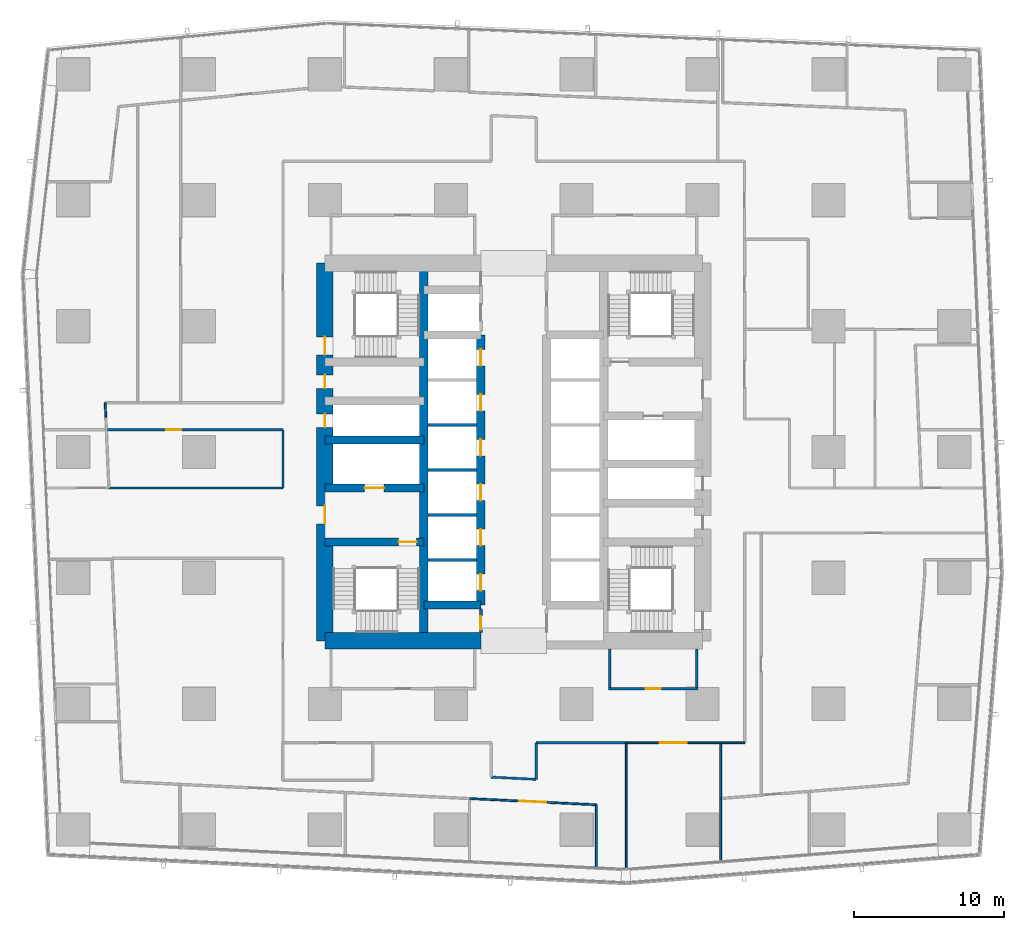
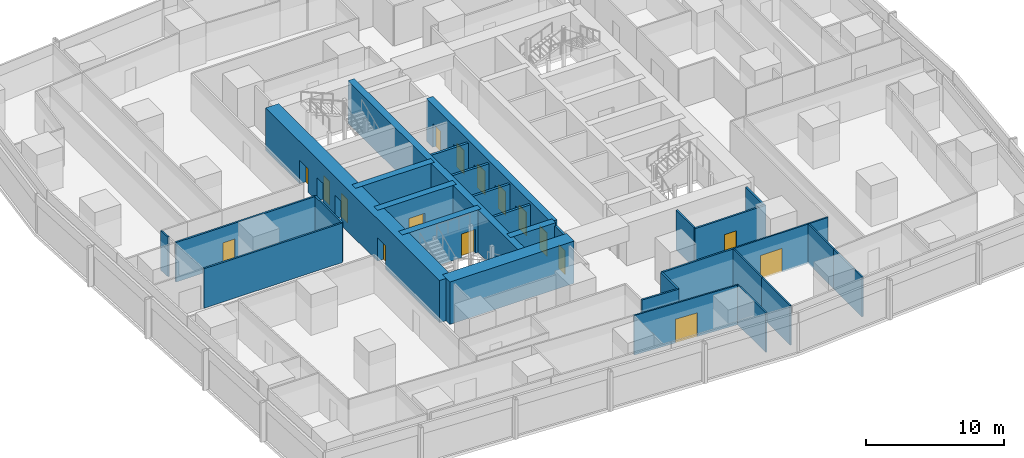
# One storey, part 32 of 45: 31 walls, 17 doors, 17 openings.
"""IFC4 building model written with IfcOpenShell, lengths in metres."""

from ifc_helpers import new_model, si_unit, direction, frame, frame_2d, origin, place, context, subcontext, project, spatial, rectangle, extrude, material, layer, layer_set, type_object, element, fill, save


model = new_model("IFC4")

# Units and contexts
model_context = context("Model", 3, precision=1e-05, world=origin(), true_north=direction((0.0, 1.0)))
body_context = subcontext(model_context, "Body", "Model", "MODEL_VIEW")
ifc_project = project(units=[si_unit("LENGTHUNIT", "METRE"), si_unit("AREAUNIT", "SQUARE_METRE"), si_unit("VOLUMEUNIT", "CUBIC_METRE"), si_unit("PLANEANGLEUNIT", "RADIAN"), si_unit("MASSUNIT", "GRAM", prefix="KILO")], contexts=[model_context])

# Site, building, storey
site_placement = place(None, origin())
site = spatial("IfcSite", under=ifc_project, at=site_placement, CompositionType="ELEMENT")
building_placement = place(site_placement, origin())
building = spatial("IfcBuilding", under=site, at=building_placement, Name="Rekha Terrace Tower", CompositionType="ELEMENT")
storey_placement = place(building_placement, frame((0.0, 0.0, 44.14990234375)))
storey = spatial("IfcBuildingStorey", under=building, at=storey_placement, Name="L10", CompositionType="ELEMENT", Elevation=44.14990234375)

# Wall
ifc_material_1 = material(Name="Concrete M70", Category="concrete")
ifc_layer_1 = layer(ifc_material_1, 0.550048828125)
ifc_layer_set_1 = layer_set([ifc_layer_1], Name="Concrete M70")
wall_type_1 = type_object("IfcWallType", Name="CI1 550 core internal shear wall", PredefinedType="SHEAR", material=ifc_layer_set_1)
wall_1_placement = place(storey_placement, frame((31.800048828125, 21.0, 0.0), z_axis=(0.0, 0.0, 1.0), x_axis=(0.0, 1.0, 0.0)))
element("IfcWall", 1, at=wall_1_placement, inside=storey, type_object=wall_type_1, Name="Core wall X318 L10", PredefinedType="SHEAR", context=body_context, shape_type="SweptSolid", body=[
    extrude(rectangle(XDim=25.199951171875, YDim=0.550048828125, at=frame_2d((12.60009765625, 0.0))), origin(), (0.0, 0.0, 1.0), 3.75),
])

# Wall, openings, doors
wall_2_placement = place(storey_placement, frame((35.60009765625, 23.39990234375, 0.0), z_axis=(0.0, 0.0, 1.0), x_axis=(0.0, 1.0, 0.0)))
wall_2 = element("IfcWall", 2, at=wall_2_placement, inside=storey, type_object=wall_type_1, Name="Core wall X356 L10", PredefinedType="SHEAR", context=body_context, shape_type="SweptSolid", body=[
    extrude(rectangle(XDim=18.0, YDim=0.550048828125, at=frame_2d((9.0, 0.0))), origin(), (0.0, 0.0, 1.0), 3.75),
])
opening_1_placement = place(wall_2_placement, frame((0.949951171875, 0.0, 0.0)))
opening_1 = element("IfcOpeningElement", 3, at=opening_1_placement, cuts=wall_2, Name="Opening LD1", PredefinedType="OPENING", context=body_context, shape_type="SweptSolid", body=[
    extrude(rectangle(XDim=1.10009765625, YDim=2.10009765625, at=frame_2d((0.550048828125, 1.050048828125))), frame((0.0, 0.284912109375, 0.0), z_axis=(0.0, -1.0, 0.0), x_axis=(1.0, 0.0, 0.0)), (0.0, 0.0, 1.0), 0.570068359375),
])
opening_2_placement = place(wall_2_placement, frame((3.949951171875, 0.0, 0.0)))
opening_2 = element("IfcOpeningElement", 4, at=opening_2_placement, cuts=wall_2, Name="Opening LD1", PredefinedType="OPENING", context=body_context, shape_type="SweptSolid", body=[
    extrude(rectangle(XDim=1.10009765625, YDim=2.10009765625, at=frame_2d((0.550048828125, 1.050048828125))), frame((0.0, 0.284912109375, 0.0), z_axis=(0.0, -1.0, 0.0), x_axis=(1.0, 0.0, 0.0)), (0.0, 0.0, 1.0), 0.570068359375),
])
opening_3_placement = place(wall_2_placement, frame((6.949951171875, 0.0, 0.0)))
opening_3 = element("IfcOpeningElement", 5, at=opening_3_placement, cuts=wall_2, Name="Opening LD1", PredefinedType="OPENING", context=body_context, shape_type="SweptSolid", body=[
    extrude(rectangle(XDim=1.10009765625, YDim=2.10009765625, at=frame_2d((0.550048828125, 1.050048828125))), frame((0.0, 0.284912109375, 0.0), z_axis=(0.0, -1.0, 0.0), x_axis=(1.0, 0.0, 0.0)), (0.0, 0.0, 1.0), 0.570068359375),
])
opening_4_placement = place(wall_2_placement, frame((9.949951171875, 0.0, 0.0)))
opening_4 = element("IfcOpeningElement", 6, at=opening_4_placement, cuts=wall_2, Name="Opening LD1", PredefinedType="OPENING", context=body_context, shape_type="SweptSolid", body=[
    extrude(rectangle(XDim=1.10009765625, YDim=2.10009765625, at=frame_2d((0.550048828125, 1.050048828125))), frame((0.0, 0.284912109375, 0.0), z_axis=(0.0, -1.0, 0.0), x_axis=(1.0, 0.0, 0.0)), (0.0, 0.0, 1.0), 0.570068359375),
])
opening_5_placement = place(wall_2_placement, frame((12.949951171875, 0.0, 0.0)))
opening_5 = element("IfcOpeningElement", 7, at=opening_5_placement, cuts=wall_2, Name="Opening LD1", PredefinedType="OPENING", context=body_context, shape_type="SweptSolid", body=[
    extrude(rectangle(XDim=1.10009765625, YDim=2.10009765625, at=frame_2d((0.550048828125, 1.050048828125))), frame((0.0, 0.284912109375, 0.0), z_axis=(0.0, -1.0, 0.0), x_axis=(1.0, 0.0, 0.0)), (0.0, 0.0, 1.0), 0.570068359375),
])
opening_6_placement = place(wall_2_placement, frame((15.949951171875, 0.0, 0.0)))
opening_6 = element("IfcOpeningElement", 8, at=opening_6_placement, cuts=wall_2, Name="Opening LD1", PredefinedType="OPENING", context=body_context, shape_type="SweptSolid", body=[
    extrude(rectangle(XDim=1.10009765625, YDim=2.10009765625, at=frame_2d((0.550048828125, 1.050048828125))), frame((0.0, 0.284912109375, 0.0), z_axis=(0.0, -1.0, 0.0), x_axis=(1.0, 0.0, 0.0)), (0.0, 0.0, 1.0), 0.570068359375),
])
ifc_material_2 = material(Name="Stainless steel sliding landing door", Category="steel")
door_type_1 = type_object("IfcDoorType", Name="LD1 1100x2100 lift landing door", OperationType="SLIDING_TO_LEFT", PredefinedType="USERDEFINED", material=ifc_material_2)
door_1_placement = place(opening_1_placement, origin())
door_1 = element("IfcDoor", 9, at=door_1_placement, inside=storey, type_object=door_type_1, Name="Lift A1 landing door L10", ObjectType="LIFT LANDING DOOR", OperationType="SLIDING_TO_LEFT", OverallHeight=2.10009765625, OverallWidth=1.10009765625, PredefinedType="USERDEFINED", context=body_context, shape_type="SweptSolid", body=[
    extrude(rectangle(XDim=1.10009765625, YDim=2.10009765625, at=frame_2d((0.550048828125, 1.050048828125))), frame((0.0, 0.02490234375, 0.0), z_axis=(0.0, -1.0, 0.0), x_axis=(1.0, 0.0, 0.0)), (0.0, 0.0, 1.0), 0.050048828125),
])
fill(opening_1, door_1)
door_2_placement = place(opening_2_placement, origin())
door_2 = element("IfcDoor", 10, at=door_2_placement, inside=storey, type_object=door_type_1, Name="Lift A2 landing door L10", ObjectType="LIFT LANDING DOOR", OperationType="SLIDING_TO_LEFT", OverallHeight=2.10009765625, OverallWidth=1.10009765625, PredefinedType="USERDEFINED", context=body_context, shape_type="SweptSolid", body=[
    extrude(rectangle(XDim=1.10009765625, YDim=2.10009765625, at=frame_2d((0.550048828125, 1.050048828125))), frame((0.0, 0.02490234375, 0.0), z_axis=(0.0, -1.0, 0.0), x_axis=(1.0, 0.0, 0.0)), (0.0, 0.0, 1.0), 0.050048828125),
])
fill(opening_2, door_2)
door_3_placement = place(opening_3_placement, origin())
door_3 = element("IfcDoor", 11, at=door_3_placement, inside=storey, type_object=door_type_1, Name="Lift A3 landing door L10", ObjectType="LIFT LANDING DOOR", OperationType="SLIDING_TO_LEFT", OverallHeight=2.10009765625, OverallWidth=1.10009765625, PredefinedType="USERDEFINED", context=body_context, shape_type="SweptSolid", body=[
    extrude(rectangle(XDim=1.10009765625, YDim=2.10009765625, at=frame_2d((0.550048828125, 1.050048828125))), frame((0.0, 0.02490234375, 0.0), z_axis=(0.0, -1.0, 0.0), x_axis=(1.0, 0.0, 0.0)), (0.0, 0.0, 1.0), 0.050048828125),
])
fill(opening_3, door_3)
door_4_placement = place(opening_4_placement, origin())
door_4 = element("IfcDoor", 12, at=door_4_placement, inside=storey, type_object=door_type_1, Name="Lift A4 landing door L10", ObjectType="LIFT LANDING DOOR", OperationType="SLIDING_TO_LEFT", OverallHeight=2.10009765625, OverallWidth=1.10009765625, PredefinedType="USERDEFINED", context=body_context, shape_type="SweptSolid", body=[
    extrude(rectangle(XDim=1.10009765625, YDim=2.10009765625, at=frame_2d((0.550048828125, 1.050048828125))), frame((0.0, 0.02490234375, 0.0), z_axis=(0.0, -1.0, 0.0), x_axis=(1.0, 0.0, 0.0)), (0.0, 0.0, 1.0), 0.050048828125),
])
fill(opening_4, door_4)
door_5_placement = place(opening_5_placement, origin())
door_5 = element("IfcDoor", 13, at=door_5_placement, inside=storey, type_object=door_type_1, Name="Lift A5 landing door L10", ObjectType="LIFT LANDING DOOR", OperationType="SLIDING_TO_LEFT", OverallHeight=2.10009765625, OverallWidth=1.10009765625, PredefinedType="USERDEFINED", context=body_context, shape_type="SweptSolid", body=[
    extrude(rectangle(XDim=1.10009765625, YDim=2.10009765625, at=frame_2d((0.550048828125, 1.050048828125))), frame((0.0, 0.02490234375, 0.0), z_axis=(0.0, -1.0, 0.0), x_axis=(1.0, 0.0, 0.0)), (0.0, 0.0, 1.0), 0.050048828125),
])
fill(opening_5, door_5)
door_6_placement = place(opening_6_placement, origin())
door_6 = element("IfcDoor", 14, at=door_6_placement, inside=storey, type_object=door_type_1, Name="Lift A6 landing door L10", ObjectType="LIFT LANDING DOOR", OperationType="SLIDING_TO_LEFT", OverallHeight=2.10009765625, OverallWidth=1.10009765625, PredefinedType="USERDEFINED", context=body_context, shape_type="SweptSolid", body=[
    extrude(rectangle(XDim=1.10009765625, YDim=2.10009765625, at=frame_2d((0.550048828125, 1.050048828125))), frame((0.0, 0.02490234375, 0.0), z_axis=(0.0, -1.0, 0.0), x_axis=(1.0, 0.0, 0.0)), (0.0, 0.0, 1.0), 0.050048828125),
])
fill(opening_6, door_6)

# Wall
wall_3_placement = place(storey_placement, frame((31.800048828125, 23.39990234375, 0.0), z_axis=(0.0, 0.0, 1.0), x_axis=(1.0, 0.0, 0.0)))
element("IfcWall", 15, at=wall_3_placement, inside=storey, type_object=wall_type_1, Name="Core wall Y234W L10", PredefinedType="SHEAR", context=body_context, shape_type="SweptSolid", body=[
    extrude(rectangle(XDim=3.800048828125, YDim=0.550048828125, at=frame_2d((1.89990234375, 0.0))), origin(), (0.0, 0.0, 1.0), 3.75),
])

# Wall, opening, door
wall_4_placement = place(storey_placement, frame((25.199951171875, 27.60009765625, 0.0), z_axis=(0.0, 0.0, 1.0), x_axis=(1.0, 0.0, 0.0)))
wall_4 = element("IfcWall", 16, at=wall_4_placement, inside=storey, type_object=wall_type_1, Name="Core wall Y276W L10", PredefinedType="SHEAR", context=body_context, shape_type="SweptSolid", body=[
    extrude(rectangle(XDim=6.60009765625, YDim=0.550048828125, at=frame_2d((3.300048828125, 0.0))), origin(), (0.0, 0.0, 1.0), 3.75),
])
opening_7_placement = place(wall_4_placement, frame((4.925048828125, 0.0, 0.0)))
opening_7 = element("IfcOpeningElement", 17, at=opening_7_placement, cuts=wall_4, Name="Opening D1", PredefinedType="OPENING", context=body_context, shape_type="SweptSolid", body=[
    extrude(rectangle(XDim=1.199951171875, YDim=2.10009765625, at=frame_2d((0.60009765625, 1.050048828125))), frame((0.0, 0.284912109375, 0.0), z_axis=(0.0, -1.0, 0.0), x_axis=(1.0, 0.0, 0.0)), (0.0, 0.0, 1.0), 0.570068359375),
])
ifc_material_3 = material(Name="Steel fire door", Category="steel")
door_type_2 = type_object("IfcDoorType", Name="D1 1200x2100 stair fire door", OperationType="SINGLE_SWING_RIGHT", PredefinedType="DOOR", material=ifc_material_3)
door_7_placement = place(opening_7_placement, origin())
door_7 = element("IfcDoor", 18, at=door_7_placement, inside=storey, type_object=door_type_2, Name="Stair ST1 door L10", OperationType="SINGLE_SWING_RIGHT", OverallHeight=2.10009765625, OverallWidth=1.199951171875, PredefinedType="DOOR", context=body_context, shape_type="SweptSolid", body=[
    extrude(rectangle(XDim=1.199951171875, YDim=2.10009765625, at=frame_2d((0.60009765625, 1.050048828125))), frame((0.0, 0.02490234375, 0.0), z_axis=(0.0, -1.0, 0.0), x_axis=(1.0, 0.0, 0.0)), (0.0, 0.0, 1.0), 0.050048828125),
])
fill(opening_7, door_7)

wall_5_placement = place(storey_placement, frame((25.199951171875, 31.199951171875, 0.0), z_axis=(0.0, 0.0, 1.0), x_axis=(1.0, 0.0, 0.0)))
wall_5 = element("IfcWall", 19, at=wall_5_placement, inside=storey, type_object=wall_type_1, Name="Core wall Y312W L10", PredefinedType="SHEAR", context=body_context, shape_type="SweptSolid", body=[
    extrude(rectangle(XDim=6.60009765625, YDim=0.550048828125, at=frame_2d((3.300048828125, 0.0))), origin(), (0.0, 0.0, 1.0), 3.75),
])
opening_8_placement = place(wall_5_placement, frame((2.64990234375, 0.0, 0.0)))
opening_8 = element("IfcOpeningElement", 20, at=opening_8_placement, cuts=wall_5, Name="Opening LD2", PredefinedType="OPENING", context=body_context, shape_type="SweptSolid", body=[
    extrude(rectangle(XDim=1.300048828125, YDim=2.10009765625, at=frame_2d((0.64990234375, 1.050048828125))), frame((0.0, 0.284912109375, 0.0), z_axis=(0.0, -1.0, 0.0), x_axis=(1.0, 0.0, 0.0)), (0.0, 0.0, 1.0), 0.570068359375),
])
door_type_3 = type_object("IfcDoorType", Name="LD2 1300x2100 fire lift landing door", OperationType="SLIDING_TO_LEFT", PredefinedType="USERDEFINED", material=ifc_material_2)
door_8_placement = place(opening_8_placement, origin())
door_8 = element("IfcDoor", 21, at=door_8_placement, inside=storey, type_object=door_type_3, Name="Lift FL1 landing door L10", ObjectType="LIFT LANDING DOOR", OperationType="SLIDING_TO_LEFT", OverallHeight=2.10009765625, OverallWidth=1.300048828125, PredefinedType="USERDEFINED", context=body_context, shape_type="SweptSolid", body=[
    extrude(rectangle(XDim=1.300048828125, YDim=2.10009765625, at=frame_2d((0.64990234375, 1.050048828125))), frame((0.0, 0.02490234375, 0.0), z_axis=(0.0, -1.0, 0.0), x_axis=(1.0, 0.0, 0.0)), (0.0, 0.0, 1.0), 0.050048828125),
])
fill(opening_8, door_8)

# Walls
wall_6_placement = place(storey_placement, frame((25.199951171875, 34.39990234375, 0.0), z_axis=(0.0, 0.0, 1.0), x_axis=(1.0, 0.0, 0.0)))
element("IfcWall", 22, at=wall_6_placement, inside=storey, type_object=wall_type_1, Name="Core wall Y344W L10", PredefinedType="SHEAR", context=body_context, shape_type="SweptSolid", body=[
    extrude(rectangle(XDim=6.60009765625, YDim=0.550048828125, at=frame_2d((3.300048828125, 0.0))), origin(), (0.0, 0.0, 1.0), 3.75),
])
ifc_layer_2 = layer(ifc_material_1, 1.10009765625)
ifc_layer_set_2 = layer_set([ifc_layer_2], Name="Concrete M70")
wall_type_2 = type_object("IfcWallType", Name="SW1 1100 core outer shear wall", PredefinedType="SHEAR", material=ifc_layer_set_2)
wall_7_placement = place(storey_placement, frame((25.199951171875, 21.0, 0.0), z_axis=(0.0, 0.0, 1.0), x_axis=(1.0, 0.0, 0.0)))
element("IfcWall", 23, at=wall_7_placement, inside=storey, type_object=wall_type_2, Name="Core wall S1 L10", PredefinedType="SHEAR", context=body_context, shape_type="SweptSolid", body=[
    extrude(rectangle(XDim=10.400146484375, YDim=1.10009765625, at=frame_2d((5.2001953125, 0.0))), origin(), (0.0, 0.0, 1.0), 3.75),
])

# Wall, openings, doors
wall_8_placement = place(storey_placement, frame((25.199951171875, 21.0, 0.0), z_axis=(0.0, 0.0, 1.0), x_axis=(0.0, 1.0, 0.0)))
wall_8 = element("IfcWall", 24, at=wall_8_placement, inside=storey, type_object=wall_type_2, Name="Core wall W L10", PredefinedType="SHEAR", context=body_context, shape_type="SweptSolid", body=[
    extrude(rectangle(XDim=25.199951171875, YDim=1.10009765625, at=frame_2d((12.60009765625, 0.0))), origin(), (0.0, 0.0, 1.0), 3.75),
])
opening_9_placement = place(wall_8_placement, frame((7.800048828125, 0.0, 0.0)))
opening_9 = element("IfcOpeningElement", 25, at=opening_9_placement, cuts=wall_8, Name="Opening D2", PredefinedType="OPENING", context=body_context, shape_type="SweptSolid", body=[
    extrude(rectangle(XDim=1.199951171875, YDim=2.10009765625, at=frame_2d((0.60009765625, 1.050048828125))), frame((0.0, 0.56005859375, 0.0), z_axis=(0.0, -1.0, 0.0), x_axis=(1.0, 0.0, 0.0)), (0.0, 0.0, 1.0), 1.1201171875),
])
opening_10_placement = place(wall_8_placement, frame((14.25, 0.0, 0.0)))
opening_10 = element("IfcOpeningElement", 26, at=opening_10_placement, cuts=wall_8, Name="Opening D5", PredefinedType="OPENING", context=body_context, shape_type="SweptSolid", body=[
    extrude(rectangle(XDim=0.89990234375, YDim=2.10009765625, at=frame_2d((0.449951171875, 1.050048828125))), frame((0.0, 0.56005859375, 0.0), z_axis=(0.0, -1.0, 0.0), x_axis=(1.0, 0.0, 0.0)), (0.0, 0.0, 1.0), 1.1201171875),
])
opening_11_placement = place(wall_8_placement, frame((16.85009765625, 0.0, 0.0)))
opening_11 = element("IfcOpeningElement", 27, at=opening_11_placement, cuts=wall_8, Name="Opening D5", PredefinedType="OPENING", context=body_context, shape_type="SweptSolid", body=[
    extrude(rectangle(XDim=0.89990234375, YDim=2.10009765625, at=frame_2d((0.449951171875, 1.050048828125))), frame((0.0, 0.56005859375, 0.0), z_axis=(0.0, -1.0, 0.0), x_axis=(1.0, 0.0, 0.0)), (0.0, 0.0, 1.0), 1.1201171875),
])
opening_12_placement = place(wall_8_placement, frame((19.074951171875, 0.0, 0.0)))
opening_12 = element("IfcOpeningElement", 28, at=opening_12_placement, cuts=wall_8, Name="Opening D1", PredefinedType="OPENING", context=body_context, shape_type="SweptSolid", body=[
    extrude(rectangle(XDim=1.199951171875, YDim=2.10009765625, at=frame_2d((0.60009765625, 1.050048828125))), frame((0.0, 0.56005859375, 0.0), z_axis=(0.0, -1.0, 0.0), x_axis=(1.0, 0.0, 0.0)), (0.0, 0.0, 1.0), 1.1201171875),
])
door_9_placement = place(opening_12_placement, origin())
door_9 = element("IfcDoor", 29, at=door_9_placement, inside=storey, type_object=door_type_2, Name="Stair ST4 door L10", OperationType="SINGLE_SWING_RIGHT", OverallHeight=2.10009765625, OverallWidth=1.199951171875, PredefinedType="DOOR", context=body_context, shape_type="SweptSolid", body=[
    extrude(rectangle(XDim=1.199951171875, YDim=2.10009765625, at=frame_2d((0.60009765625, 1.050048828125))), frame((0.0, 0.02490234375, 0.0), z_axis=(0.0, -1.0, 0.0), x_axis=(1.0, 0.0, 0.0)), (0.0, 0.0, 1.0), 0.050048828125),
])
fill(opening_12, door_9)
door_type_4 = type_object("IfcDoorType", Name="D2 1200x2100 firefighting lobby door", OperationType="SINGLE_SWING_LEFT", PredefinedType="DOOR", material=ifc_material_3)
door_10_placement = place(opening_9_placement, origin())
door_10 = element("IfcDoor", 30, at=door_10_placement, inside=storey, type_object=door_type_4, Name="Door flb1 L10", OperationType="SINGLE_SWING_LEFT", OverallHeight=2.10009765625, OverallWidth=1.199951171875, PredefinedType="DOOR", context=body_context, shape_type="SweptSolid", body=[
    extrude(rectangle(XDim=1.199951171875, YDim=2.10009765625, at=frame_2d((0.60009765625, 1.050048828125))), frame((0.0, 0.02490234375, 0.0), z_axis=(0.0, -1.0, 0.0), x_axis=(1.0, 0.0, 0.0)), (0.0, 0.0, 1.0), 0.050048828125),
])
fill(opening_9, door_10)
door_type_5 = type_object("IfcDoorType", Name="D5 900x2100 riser access door", OperationType="SINGLE_SWING_LEFT", PredefinedType="DOOR", material=ifc_material_3)
door_11_placement = place(opening_10_placement, origin())
door_11 = element("IfcDoor", 31, at=door_11_placement, inside=storey, type_object=door_type_5, Name="Door rs1 L10", OperationType="SINGLE_SWING_LEFT", OverallHeight=2.10009765625, OverallWidth=0.89990234375, PredefinedType="DOOR", context=body_context, shape_type="SweptSolid", body=[
    extrude(rectangle(XDim=0.89990234375, YDim=2.10009765625, at=frame_2d((0.449951171875, 1.050048828125))), frame((0.0, 0.02490234375, 0.0), z_axis=(0.0, -1.0, 0.0), x_axis=(1.0, 0.0, 0.0)), (0.0, 0.0, 1.0), 0.050048828125),
])
fill(opening_10, door_11)
door_12_placement = place(opening_11_placement, origin())
door_12 = element("IfcDoor", 32, at=door_12_placement, inside=storey, type_object=door_type_5, Name="Door elw L10", OperationType="SINGLE_SWING_LEFT", OverallHeight=2.10009765625, OverallWidth=0.89990234375, PredefinedType="DOOR", context=body_context, shape_type="SweptSolid", body=[
    extrude(rectangle(XDim=0.89990234375, YDim=2.10009765625, at=frame_2d((0.449951171875, 1.050048828125))), frame((0.0, 0.02490234375, 0.0), z_axis=(0.0, -1.0, 0.0), x_axis=(1.0, 0.0, 0.0)), (0.0, 0.0, 1.0), 0.050048828125),
])
fill(opening_11, door_12)

# Wall, opening, door
ifc_material_4 = material(Name="Concrete block masonry, 1 hour", Category="masonry")
ifc_layer_3 = layer(ifc_material_4, 0.14990234375)
ifc_layer_set_3 = layer_set([ifc_layer_3], Name="Concrete block masonry, 1 hour")
wall_type_3 = type_object("IfcWallType", Name="WP2 150 tenancy partition", PredefinedType="PARTITIONING", material=ifc_layer_set_3)
wall_9_placement = place(storey_placement, frame((44.125, 17.800048828125, 0.0), z_axis=(0.0, 0.0, 1.0), x_axis=(1.0, 0.0, 0.0)))
wall_9 = element("IfcWall", 33, at=wall_9_placement, inside=storey, type_object=wall_type_3, Name="Men's WC wall L10", PredefinedType="PARTITIONING", context=body_context, shape_type="SweptSolid", body=[
    extrude(rectangle(XDim=5.949951171875, YDim=0.14990234375, at=frame_2d((2.97509765625, 0.0))), origin(), (0.0, 0.0, 1.0), 3.5),
])
opening_13_placement = place(wall_9_placement, frame((2.47509765625, 0.0, 0.0)))
opening_13 = element("IfcOpeningElement", 34, at=opening_13_placement, cuts=wall_9, Name="Opening D3", PredefinedType="OPENING", context=body_context, shape_type="SweptSolid", body=[
    extrude(rectangle(XDim=1.0, YDim=2.10009765625, at=frame_2d((0.5, 1.050048828125))), frame((0.0, 0.0849609375, 0.0), z_axis=(0.0, -1.0, 0.0), x_axis=(1.0, 0.0, 0.0)), (0.0, 0.0, 1.0), 0.169921875),
])
ifc_material_5 = material(Name="Laminated timber fire door", Category="wood")
door_type_6 = type_object("IfcDoorType", Name="D3 1000x2100 WC door", OperationType="SINGLE_SWING_LEFT", PredefinedType="DOOR", material=ifc_material_5)
door_13_placement = place(opening_13_placement, origin())
door_13 = element("IfcDoor", 35, at=door_13_placement, inside=storey, type_object=door_type_6, Name="Door men's wc L10", OperationType="SINGLE_SWING_LEFT", OverallHeight=2.10009765625, OverallWidth=1.0, PredefinedType="DOOR", context=body_context, shape_type="SweptSolid", body=[
    extrude(rectangle(XDim=1.0, YDim=2.10009765625, at=frame_2d((0.5, 1.050048828125))), frame((0.0, 0.02490234375, 0.0), z_axis=(0.0, -1.0, 0.0), x_axis=(1.0, 0.0, 0.0)), (0.0, 0.0, 1.0), 0.050048828125),
])
fill(opening_13, door_13)

# Walls
for number, where, z_axis, x_axis, name in (
    (36, (44.199951171875, 17.875, 0.0), (0.0, 0.0, 1.0), (0.0, 1.0, 0.0), "Men's WC wall L10"),
    (37, (50.0, 17.875, 0.0), (0.0, 0.0, 1.0), (0.0, 1.0, 0.0), "Men's WC wall L10"),
):
    element("IfcWall", number, at=place(storey_placement, frame(where, z_axis=z_axis, x_axis=x_axis)), inside=storey, type_object=wall_type_3, Name=name, PredefinedType="PARTITIONING", context=body_context, shape_type="SweptSolid", body=[
        extrude(rectangle(XDim=2.574951171875, YDim=0.14990234375, at=frame_2d((1.28759765625, 0.0))), origin(), (0.0, 0.0, 1.0), 3.5),
    ])

# Wall, opening, door
wall_10_placement = place(storey_placement, frame((10.68310546875, 35.077880859375, 0.0), z_axis=(0.0, 0.0, 1.0), x_axis=(1.0, 0.0, 0.0)))
wall_10 = element("IfcWall", 38, at=wall_10_placement, inside=storey, type_object=wall_type_3, Name="Partition L10-O4b", PredefinedType="PARTITIONING", context=body_context, shape_type="SweptSolid", body=[
    extrude(rectangle(XDim=11.716796875, YDim=0.14990234375, at=frame_2d((5.8583984375, 0.0))), origin(), (0.0, 0.0, 1.0), 3.5),
])
opening_14_placement = place(wall_10_placement, frame((3.927001953125, 0.0, 0.0)))
opening_14 = element("IfcOpeningElement", 39, at=opening_14_placement, cuts=wall_10, Name="Opening D9", PredefinedType="OPENING", context=body_context, shape_type="SweptSolid", body=[
    extrude(rectangle(XDim=1.0, YDim=2.10009765625, at=frame_2d((0.5, 1.050048828125))), frame((0.0, 0.0849609375, 0.0), z_axis=(0.0, -1.0, 0.0), x_axis=(1.0, 0.0, 0.0)), (0.0, 0.0, 1.0), 0.169921875),
])
ifc_material_6 = material(Name="Timber fire door", Category="wood")
door_type_7 = type_object("IfcDoorType", Name="D9 1000x2100 office door", OperationType="SINGLE_SWING_LEFT", PredefinedType="DOOR", material=ifc_material_6)
door_14_placement = place(opening_14_placement, origin())
door_14 = element("IfcDoor", 40, at=door_14_placement, inside=storey, type_object=door_type_7, Name="Door open-plan office L10", OperationType="SINGLE_SWING_LEFT", OverallHeight=2.10009765625, OverallWidth=1.0, PredefinedType="DOOR", context=body_context, shape_type="SweptSolid", body=[
    extrude(rectangle(XDim=1.0, YDim=2.10009765625, at=frame_2d((0.5, 1.050048828125))), frame((0.0, 0.02490234375, 0.0), z_axis=(0.0, -1.0, 0.0), x_axis=(1.0, 0.0, 0.0)), (0.0, 0.0, 1.0), 0.050048828125),
])
fill(opening_14, door_14)

# Walls
wall_11_placement = place(storey_placement, frame((22.39990234375, 35.077880859375, 0.0), z_axis=(0.0, 0.0, 1.0), x_axis=(0.0, -1.0, 0.0)))
element("IfcWall", 41, at=wall_11_placement, inside=storey, type_object=wall_type_3, Name="Partition L10-O4b", PredefinedType="PARTITIONING", context=body_context, shape_type="SweptSolid", body=[
    extrude(rectangle(XDim=3.8779296875, YDim=0.14990234375, at=frame_2d((1.93896484375, 0.0))), origin(), (0.0, 0.0, 1.0), 3.5),
])
wall_12_placement = place(storey_placement, frame((22.39990234375, 31.199951171875, 0.0), z_axis=(0.0, 0.0, 1.0), x_axis=(-1.0, 0.0, 0.0)))
element("IfcWall", 42, at=wall_12_placement, inside=storey, type_object=wall_type_3, Name="Partition L10-O4b", PredefinedType="PARTITIONING", context=body_context, shape_type="SweptSolid", body=[
    extrude(rectangle(XDim=11.60986328125, YDim=0.14990234375, at=frame_2d((5.804931640625, 0.0))), origin(), (0.0, 0.0, 1.0), 3.5),
])
wall_13_placement = place(storey_placement, frame((36.300048828125, 11.908935546875, 0.0), z_axis=(0.0, 0.0, 1.0), x_axis=(0.998802102454, -0.048932199355, 0.0)))
element("IfcWall", 43, at=wall_13_placement, inside=storey, type_object=wall_type_3, Name="Partition L10-O5", PredefinedType="PARTITIONING", context=body_context, shape_type="SweptSolid", body=[
    extrude(rectangle(XDim=3.003662109375, YDim=0.14990234375, at=frame_2d((1.501953125, 0.0))), origin(), (0.0, 0.0, 1.0), 3.5),
])
wall_14_placement = place(storey_placement, frame((39.300048828125, 11.761962890625, 0.0), z_axis=(0.0, 0.0, 1.0), x_axis=(0.0, 1.0, 0.0)))
element("IfcWall", 44, at=wall_14_placement, inside=storey, type_object=wall_type_3, Name="Partition L10-O5", PredefinedType="PARTITIONING", context=body_context, shape_type="SweptSolid", body=[
    extrude(rectangle(XDim=2.43798828125, YDim=0.14990234375, at=frame_2d((1.218994140625, 0.0))), origin(), (0.0, 0.0, 1.0), 3.5),
])
wall_15_placement = place(storey_placement, frame((39.300048828125, 14.199951171875, 0.0), z_axis=(0.0, 0.0, 1.0), x_axis=(1.0, 0.0, 0.0)))
element("IfcWall", 45, at=wall_15_placement, inside=storey, type_object=wall_type_3, Name="Partition L10-O5", PredefinedType="PARTITIONING", context=body_context, shape_type="SweptSolid", body=[
    extrude(rectangle(XDim=6.00390625, YDim=0.14990234375, at=frame_2d((3.001953125, 0.0))), origin(), (0.0, 0.0, 1.0), 3.5),
])
ifc_material_7 = material(Name="Two layers of fire-rated gypsum board each side on steel studs, acoustic quilt, 1 hour", Category="steel")
ifc_layer_4 = layer(ifc_material_7, 0.125)
ifc_layer_set_4 = layer_set([ifc_layer_4], Name="Two layers of fire-rated gypsum board each side on steel studs, acoustic quilt, 1 hour")
wall_type_4 = type_object("IfcWallType", Name="WP3 125 office partition", PredefinedType="PARTITIONING", material=ifc_layer_set_4)
wall_16_placement = place(storey_placement, frame((51.60302734375, 6.34912109375, 0.0), z_axis=(0.0, 0.0, 1.0), x_axis=(0.0, 1.0, 0.0)))
element("IfcWall", 46, at=wall_16_placement, inside=storey, type_object=wall_type_4, Name="Partition L10-02", PredefinedType="PARTITIONING", context=body_context, shape_type="SweptSolid", body=[
    extrude(rectangle(XDim=4.1337890625, YDim=0.125, at=frame_2d((2.06689453125, 0.0))), origin(), (0.0, 0.0, 1.0), 3.5),
])

# Wall, opening, door
wall_17_placement = place(storey_placement, frame((45.304931640625, 14.199951171875, 0.0), z_axis=(0.0, 0.0, 1.0), x_axis=(1.0, 0.0, 0.0)))
wall_17 = element("IfcWall", 47, at=wall_17_placement, inside=storey, type_object=wall_type_4, Name="Partition L10-04", PredefinedType="PARTITIONING", context=body_context, shape_type="SweptSolid", body=[
    extrude(rectangle(XDim=6.297119140625, YDim=0.125, at=frame_2d((3.1484375, 0.0))), origin(), (0.0, 0.0, 1.0), 3.5),
])
opening_15_placement = place(wall_17_placement, frame((2.248046875, 0.0, 0.0)))
opening_15 = element("IfcOpeningElement", 48, at=opening_15_placement, cuts=wall_17, Name="Opening D8", PredefinedType="OPENING", context=body_context, shape_type="SweptSolid", body=[
    extrude(rectangle(XDim=1.800048828125, YDim=2.10009765625, at=frame_2d((0.89990234375, 1.050048828125))), frame((0.0, 0.072509765625, 0.0), z_axis=(0.0, -1.0, 0.0), x_axis=(1.0, 0.0, 0.0)), (0.0, 0.0, 1.0), 0.14501953125),
])
door_type_8 = type_object("IfcDoorType", Name="D8 1800x2100 double leaf door", OperationType="DOUBLE_DOOR_SINGLE_SWING", PredefinedType="DOOR", material=ifc_material_6)
door_15_placement = place(opening_15_placement, origin())
door_15 = element("IfcDoor", 49, at=door_15_placement, inside=storey, type_object=door_type_8, Name="Door reception L10", OperationType="DOUBLE_DOOR_SINGLE_SWING", OverallHeight=2.10009765625, OverallWidth=1.800048828125, PredefinedType="DOOR", context=body_context, shape_type="SweptSolid", body=[
    extrude(rectangle(XDim=1.800048828125, YDim=2.10009765625, at=frame_2d((0.89990234375, 1.050048828125))), frame((0.0, 0.02490234375, 0.0), z_axis=(0.0, -1.0, 0.0), x_axis=(1.0, 0.0, 0.0)), (0.0, 0.0, 1.0), 0.050048828125),
])
fill(opening_15, door_15)

# Walls
wall_18_placement = place(storey_placement, frame((51.60205078125, 14.199951171875, 0.0), z_axis=(0.0, 0.0, 1.0), x_axis=(0.0, -1.0, 0.0)))
element("IfcWall", 50, at=wall_18_placement, inside=storey, type_object=wall_type_4, Name="Partition L10-04", PredefinedType="PARTITIONING", context=body_context, shape_type="SweptSolid", body=[
    extrude(rectangle(XDim=3.717041015625, YDim=0.125, at=frame_2d((1.8583984375, 0.0))), origin(), (0.0, 0.0, 1.0), 3.5),
])
wall_19_placement = place(storey_placement, frame((45.304931640625, 5.844970703125, 0.0), z_axis=(0.0, 0.0, 1.0), x_axis=(0.0, 1.0, 0.0)))
element("IfcWall", 51, at=wall_19_placement, inside=storey, type_object=wall_type_4, Name="Partition L10-04", PredefinedType="PARTITIONING", context=body_context, shape_type="SweptSolid", body=[
    extrude(rectangle(XDim=4.133056640625, YDim=0.125, at=frame_2d((2.06640625, 0.0))), origin(), (0.0, 0.0, 1.0), 3.5),
])
wall_20_placement = place(storey_placement, frame((45.304931640625, 9.97802734375, 0.0), z_axis=(0.0, 0.0, 1.0), x_axis=(0.0, 1.0, 0.0)))
element("IfcWall", 52, at=wall_20_placement, inside=storey, type_object=wall_type_4, Name="Partition L10-04", PredefinedType="PARTITIONING", context=body_context, shape_type="SweptSolid", body=[
    extrude(rectangle(XDim=4.221923828125, YDim=0.125, at=frame_2d((2.11083984375, 0.0))), origin(), (0.0, 0.0, 1.0), 3.5),
])
wall_21_placement = place(storey_placement, frame((51.60205078125, 14.199951171875, 0.0), z_axis=(0.0, 0.0, 1.0), x_axis=(1.0, 0.0, 0.0)))
element("IfcWall", 53, at=wall_21_placement, inside=storey, type_object=wall_type_4, Name="Partition L10-05", PredefinedType="PARTITIONING", context=body_context, shape_type="SweptSolid", body=[
    extrude(rectangle(XDim=1.597900390625, YDim=0.125, at=frame_2d((0.798828125, 0.0))), origin(), (0.0, 0.0, 1.0), 3.5),
])
wall_22_placement = place(storey_placement, frame((10.541015625, 36.8779296875, 0.0), z_axis=(0.0, 0.0, 1.0), x_axis=(0.0440424538, -0.999029660352, 0.0)))
element("IfcWall", 54, at=wall_22_placement, inside=storey, type_object=wall_type_4, Name="Partition L10-15", PredefinedType="PARTITIONING", context=body_context, shape_type="SweptSolid", body=[
    extrude(rectangle(XDim=0.997802734375, YDim=0.125, at=frame_2d((0.4990234375, 0.0))), origin(), (0.0, 0.0, 1.0), 3.5),
])

# Wall, opening, door
wall_23_placement = place(storey_placement, frame((34.840087890625, 10.47900390625, 0.0), z_axis=(0.0, 0.0, 1.0), x_axis=(0.998796791982, -0.049040476402, 0.0)))
wall_23 = element("IfcWall", 55, at=wall_23_placement, inside=storey, type_object=wall_type_4, Name="Partition L10-20", PredefinedType="PARTITIONING", context=body_context, shape_type="SweptSolid", body=[
    extrude(rectangle(XDim=8.483154296875, YDim=0.125, at=frame_2d((4.24169921875, 0.0))), origin(), (0.0, 0.0, 1.0), 3.5),
])
opening_16_placement = place(wall_23_placement, frame((3.342041015625, 0.0, 0.0)))
opening_16 = element("IfcOpeningElement", 56, at=opening_16_placement, cuts=wall_23, Name="Opening D8", PredefinedType="OPENING", context=body_context, shape_type="SweptSolid", body=[
    extrude(rectangle(XDim=1.800048828125, YDim=2.10009765625, at=frame_2d((0.89990234375, 1.050048828125))), frame((0.0, 0.072509765625, 0.0), z_axis=(0.0, -1.0, 0.0), x_axis=(1.0, 0.0, 0.0)), (0.0, 0.0, 1.0), 0.14501953125),
])
door_16_placement = place(opening_16_placement, origin())
door_16 = element("IfcDoor", 57, at=door_16_placement, inside=storey, type_object=door_type_8, Name="Door meeting room L10", OperationType="DOUBLE_DOOR_SINGLE_SWING", OverallHeight=2.10009765625, OverallWidth=1.800048828125, PredefinedType="DOOR", context=body_context, shape_type="SweptSolid", body=[
    extrude(rectangle(XDim=1.800048828125, YDim=2.10009765625, at=frame_2d((0.89990234375, 1.050048828125))), frame((0.0, 0.02490234375, 0.0), z_axis=(0.0, -1.0, 0.0), x_axis=(1.0, 0.0, 0.0)), (0.0, 0.0, 1.0), 0.050048828125),
])
fill(opening_16, door_16)

# Walls
wall_24_placement = place(storey_placement, frame((43.31298828125, 10.06298828125, 0.0), z_axis=(0.0, 0.0, 1.0), x_axis=(0.0, -1.0, 0.0)))
element("IfcWall", 58, at=wall_24_placement, inside=storey, type_object=wall_type_4, Name="Partition L10-20", PredefinedType="PARTITIONING", context=body_context, shape_type="SweptSolid", body=[
    extrude(rectangle(XDim=4.125, YDim=0.125, at=frame_2d((2.0625, 0.0))), origin(), (0.0, 0.0, 1.0), 3.5),
])
ifc_material_8 = material(Name="Solid concrete block masonry, 2 hour", Category="masonry")
ifc_layer_5 = layer(ifc_material_8, 0.199951171875)
ifc_layer_set_5 = layer_set([ifc_layer_5], Name="Solid concrete block masonry, 2 hour")
wall_type_5 = type_object("IfcWallType", Name="WS1 200 stair and shaft enclosure", PredefinedType="PARTITIONING", material=ifc_layer_set_5)
for number, where, z_axis, x_axis, name in (
    (59, (32.074951171875, 26.39990234375, 0.0), (0.0, 0.0, 1.0), (1.0, 0.0, 0.0), "Lift shaft divider L10"),
    (60, (32.074951171875, 29.39990234375, 0.0), (0.0, 0.0, 1.0), (1.0, 0.0, 0.0), "Lift shaft divider L10"),
    (61, (32.074951171875, 32.39990234375, 0.0), (0.0, 0.0, 1.0), (1.0, 0.0, 0.0), "Lift shaft divider L10"),
    (62, (32.074951171875, 35.39990234375, 0.0), (0.0, 0.0, 1.0), (1.0, 0.0, 0.0), "Lift shaft divider L10"),
):
    element("IfcWall", number, at=place(storey_placement, frame(where, z_axis=z_axis, x_axis=x_axis)), inside=storey, type_object=wall_type_5, Name=name, PredefinedType="PARTITIONING", context=body_context, shape_type="SweptSolid", body=[
        extrude(rectangle(XDim=3.25, YDim=0.199951171875, at=frame_2d((1.625, 0.0))), origin(), (0.0, 0.0, 1.0), 3.5),
    ])

# Wall, opening, door
wall_25_placement = place(storey_placement, frame((35.60009765625, 21.550048828125, 0.0), z_axis=(0.0, 0.0, 1.0), x_axis=(0.0, 1.0, 0.0)))
wall_25 = element("IfcWall", 63, at=wall_25_placement, inside=storey, type_object=wall_type_5, Name="Core partition west L10", PredefinedType="PARTITIONING", context=body_context, shape_type="SweptSolid", body=[
    extrude(rectangle(XDim=1.574951171875, YDim=0.199951171875, at=frame_2d((0.78759765625, 0.0))), origin(), (0.0, 0.0, 1.0), 3.5),
])
opening_17_placement = place(wall_25_placement, frame((0.199951171875, 0.0, 0.0)))
opening_17 = element("IfcOpeningElement", 64, at=opening_17_placement, cuts=wall_25, Name="Opening D5", PredefinedType="OPENING", context=body_context, shape_type="SweptSolid", body=[
    extrude(rectangle(XDim=0.89990234375, YDim=2.10009765625, at=frame_2d((0.449951171875, 1.050048828125))), frame((0.0, 0.10986328125, 0.0), z_axis=(0.0, -1.0, 0.0), x_axis=(1.0, 0.0, 0.0)), (0.0, 0.0, 1.0), 0.219970703125),
])
door_17_placement = place(opening_17_placement, origin())
door_17 = element("IfcDoor", 65, at=door_17_placement, inside=storey, type_object=door_type_5, Name="Door it comms room L10", OperationType="SINGLE_SWING_LEFT", OverallHeight=2.10009765625, OverallWidth=0.89990234375, PredefinedType="DOOR", context=body_context, shape_type="SweptSolid", body=[
    extrude(rectangle(XDim=0.89990234375, YDim=2.10009765625, at=frame_2d((0.449951171875, 1.050048828125))), frame((0.0, 0.02490234375, 0.0), z_axis=(0.0, -1.0, 0.0), x_axis=(1.0, 0.0, 0.0)), (0.0, 0.0, 1.0), 0.050048828125),
])
fill(opening_17, door_17)

save(model, "model.ifc")
